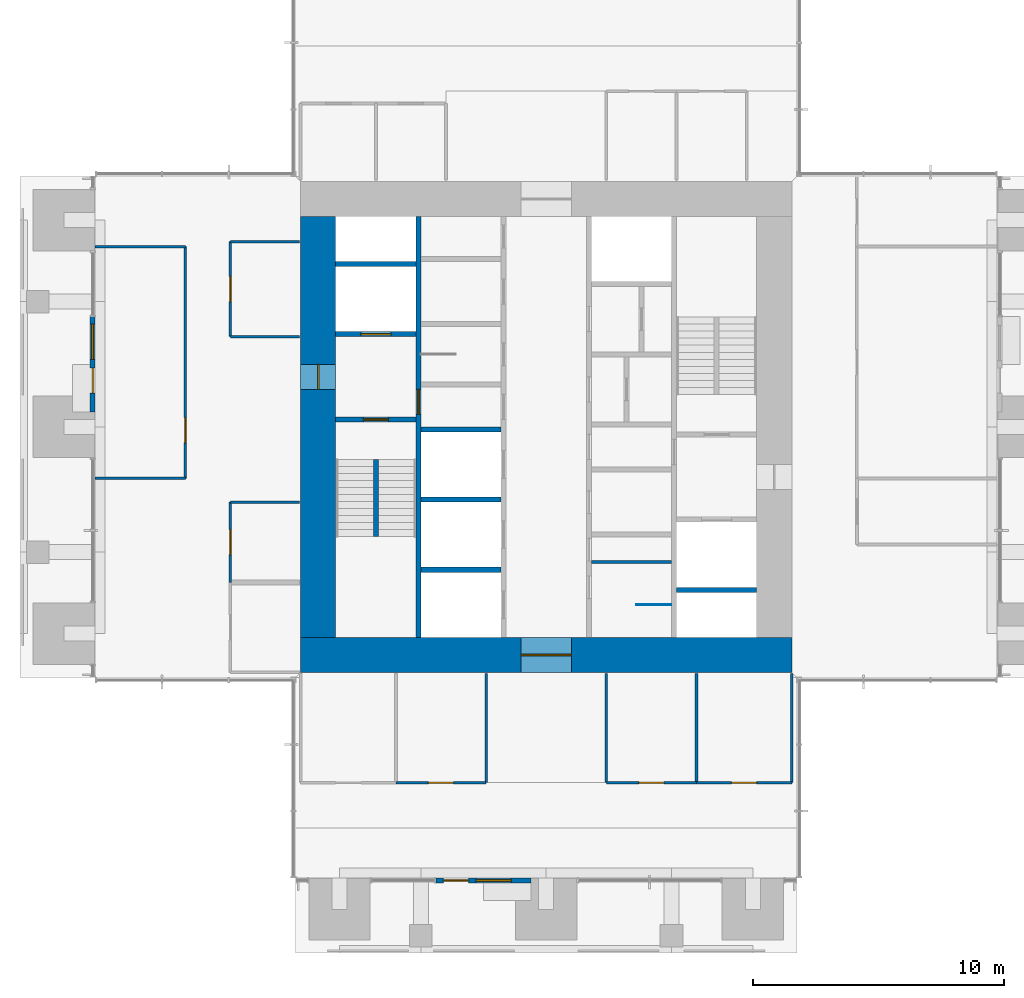
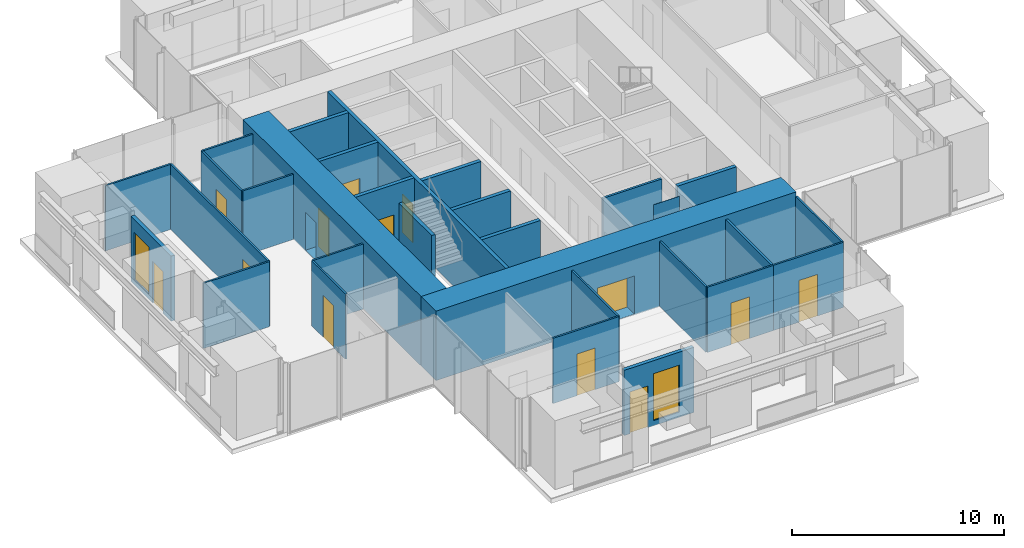
# One storey, part 12 of 17: 30 walls, 13 doors, 2 windows, 15 openings.
"""IFC4 building model written with IfcOpenShell, lengths in metres."""

from ifc_helpers import new_model, si_unit, direction, frame, frame_2d, origin, place, context, subcontext, project, spatial, rectangle, extrude, material, layer, layer_set, type_object, element, fill, save


model = new_model("IFC4")

# Units and contexts
model_context = context("Model", 3, precision=1e-05, world=origin(), true_north=direction((0.0, 1.0)))
body_context = subcontext(model_context, "Body", "Model", "MODEL_VIEW")
ifc_project = project(units=[si_unit("LENGTHUNIT", "METRE"), si_unit("AREAUNIT", "SQUARE_METRE"), si_unit("VOLUMEUNIT", "CUBIC_METRE"), si_unit("PLANEANGLEUNIT", "RADIAN"), si_unit("MASSUNIT", "GRAM", prefix="KILO")], contexts=[model_context])

# Site, building, storey
site_placement = place(None, origin())
site = spatial("IfcSite", under=ifc_project, at=site_placement, CompositionType="ELEMENT")
building_placement = place(site_placement, origin())
building = spatial("IfcBuilding", under=site, at=building_placement, Name="Svetlomir Tower", CompositionType="ELEMENT")
storey_placement = place(building_placement, frame((0.0, 0.0, 206.5)))
storey = spatial("IfcBuildingStorey", under=building, at=storey_placement, Name="L49", CompositionType="ELEMENT", Elevation=206.5)

# Wall, openings, door, window
ifc_material_1 = material(Name="Bronze anodised aluminium glazed screen", Category="aluminium")
ifc_layer_1 = layer(ifc_material_1, 0.199951171875)
ifc_layer_set_1 = layer_set([ifc_layer_1], Name="Bronze anodised aluminium glazed screen")
wall_type_1 = type_object("IfcWallType", Name="BALCONY SCREEN WALL 200", PredefinedType="USERDEFINED", material=ifc_layer_set_1)
wall_1_placement = place(storey_placement, frame((16.60009765625, 2.89990234375, 0.0), z_axis=(0.0, 0.0, 1.0), x_axis=(1.0, 0.0, 0.0)))
wall_1 = element("IfcWall", 1, at=wall_1_placement, inside=storey, type_object=wall_type_1, Name="Balcony screen S", ObjectType="GLAZED SCREEN", PredefinedType="USERDEFINED", context=body_context, shape_type="SweptSolid", body=[
    extrude(rectangle(XDim=3.7998046875, YDim=0.199951171875, at=frame_2d((1.89990234375, 0.0))), origin(), (0.0, 0.0, 1.0), 3.75),
])
opening_1_placement = place(wall_1_placement, frame((0.300048828125, 0.0, 0.0)))
opening_1 = element("IfcOpeningElement", 2, at=opening_1_placement, cuts=wall_1, Name="Opening BD", PredefinedType="OPENING", context=body_context, shape_type="SweptSolid", body=[
    extrude(rectangle(XDim=1.0, YDim=2.39990234375, at=frame_2d((0.5, 1.199951171875))), frame((0.0, 0.10986328125, 0.0), z_axis=(0.0, -1.0, 0.0), x_axis=(1.0, 0.0, 0.0)), (0.0, 0.0, 1.0), 0.219970703125),
])
opening_2_placement = place(wall_1_placement, frame((1.60009765625, 0.0, 0.300048828125)))
opening_2 = element("IfcOpeningElement", 3, at=opening_2_placement, cuts=wall_1, Name="Opening WS2", PredefinedType="OPENING", context=body_context, shape_type="SweptSolid", body=[
    extrude(rectangle(XDim=1.39990234375, YDim=2.699951171875, at=frame_2d((0.699951171875, 1.35009765625))), frame((0.0, 0.10986328125, 0.0), z_axis=(0.0, -1.0, 0.0), x_axis=(1.0, 0.0, 0.0)), (0.0, 0.0, 1.0), 0.219970703125),
])
ifc_material_2 = material(Name="Bronze anodised aluminium glazed door", Category="aluminium")
door_type_1 = type_object("IfcDoorType", Name="BALCONY DOOR BD 1000x2400", OperationType="SINGLE_SWING_LEFT", PredefinedType="DOOR", material=ifc_material_2)
door_1_placement = place(opening_1_placement, origin())
door_1 = element("IfcDoor", 4, at=door_1_placement, inside=storey, type_object=door_type_1, Name="Balcony screen S door", OperationType="SINGLE_SWING_LEFT", OverallHeight=2.39990234375, OverallWidth=1.0, PredefinedType="DOOR", context=body_context, shape_type="SweptSolid", body=[
    extrude(rectangle(XDim=1.0, YDim=2.39990234375, at=frame_2d((0.5, 1.199951171875))), frame((0.0, 0.02490234375, 0.0), z_axis=(0.0, -1.0, 0.0), x_axis=(1.0, 0.0, 0.0)), (0.0, 0.0, 1.0), 0.050048828125),
])
fill(opening_1, door_1)
ifc_material_3 = material(Name="Bronze anodised aluminium window", Category="aluminium")
window_type = type_object("IfcWindowType", Name="SCREEN WINDOW WS2 1400x2700", PartitioningType="SINGLE_PANEL", PredefinedType="WINDOW", material=ifc_material_3)
window_1_placement = place(opening_2_placement, origin())
window_1 = element("IfcWindow", 5, at=window_1_placement, inside=storey, type_object=window_type, Name="Balcony screen S window 1", OverallHeight=2.699951171875, OverallWidth=1.39990234375, PartitioningType="SINGLE_PANEL", PredefinedType="WINDOW", context=body_context, shape_type="SweptSolid", body=[
    extrude(rectangle(XDim=1.39990234375, YDim=2.699951171875, at=frame_2d((0.699951171875, 1.35009765625))), frame((0.0, 0.030029296875, 0.0), z_axis=(0.0, -1.0, 0.0), x_axis=(1.0, 0.0, 0.0)), (0.0, 0.0, 1.0), 0.06005859375),
])
fill(opening_2, window_1)

wall_2_placement = place(storey_placement, frame((2.89990234375, 25.39990234375, 0.0), z_axis=(0.0, 0.0, 1.0), x_axis=(0.0, -1.0, 0.0)))
wall_2 = element("IfcWall", 6, at=wall_2_placement, inside=storey, type_object=wall_type_1, Name="Balcony screen W", ObjectType="GLAZED SCREEN", PredefinedType="USERDEFINED", context=body_context, shape_type="SweptSolid", body=[
    extrude(rectangle(XDim=3.7998046875, YDim=0.199951171875, at=frame_2d((1.89990234375, 0.0))), origin(), (0.0, 0.0, 1.0), 3.75),
])
opening_3_placement = place(wall_2_placement, frame((2.050048828125, 0.0, 0.0)))
opening_3 = element("IfcOpeningElement", 7, at=opening_3_placement, cuts=wall_2, Name="Opening BD", PredefinedType="OPENING", context=body_context, shape_type="SweptSolid", body=[
    extrude(rectangle(XDim=1.0, YDim=2.39990234375, at=frame_2d((0.5, 1.199951171875))), frame((0.0, 0.10986328125, 0.0), z_axis=(0.0, -1.0, 0.0), x_axis=(1.0, 0.0, 0.0)), (0.0, 0.0, 1.0), 0.219970703125),
])
opening_4_placement = place(wall_2_placement, frame((0.300048828125, 0.0, 0.300048828125)))
opening_4 = element("IfcOpeningElement", 8, at=opening_4_placement, cuts=wall_2, Name="Opening WS2", PredefinedType="OPENING", context=body_context, shape_type="SweptSolid", body=[
    extrude(rectangle(XDim=1.39990234375, YDim=2.699951171875, at=frame_2d((0.699951171875, 1.35009765625))), frame((0.0, 0.10986328125, 0.0), z_axis=(0.0, -1.0, 0.0), x_axis=(1.0, 0.0, 0.0)), (0.0, 0.0, 1.0), 0.219970703125),
])
door_2_placement = place(opening_3_placement, origin())
door_2 = element("IfcDoor", 9, at=door_2_placement, inside=storey, type_object=door_type_1, Name="Balcony screen W door", OperationType="SINGLE_SWING_LEFT", OverallHeight=2.39990234375, OverallWidth=1.0, PredefinedType="DOOR", context=body_context, shape_type="SweptSolid", body=[
    extrude(rectangle(XDim=1.0, YDim=2.39990234375, at=frame_2d((0.5, 1.199951171875))), frame((0.0, 0.02490234375, 0.0), z_axis=(0.0, -1.0, 0.0), x_axis=(1.0, 0.0, 0.0)), (0.0, 0.0, 1.0), 0.050048828125),
])
fill(opening_3, door_2)
window_2_placement = place(opening_4_placement, origin())
window_2 = element("IfcWindow", 10, at=window_2_placement, inside=storey, type_object=window_type, Name="Balcony screen W window 1", OverallHeight=2.699951171875, OverallWidth=1.39990234375, PartitioningType="SINGLE_PANEL", PredefinedType="WINDOW", context=body_context, shape_type="SweptSolid", body=[
    extrude(rectangle(XDim=1.39990234375, YDim=2.699951171875, at=frame_2d((0.699951171875, 1.35009765625))), frame((0.0, 0.030029296875, 0.0), z_axis=(0.0, -1.0, 0.0), x_axis=(1.0, 0.0, 0.0)), (0.0, 0.0, 1.0), 0.06005859375),
])
fill(opening_4, window_2)

# Wall, opening, door
ifc_material_4 = material(Name="Concrete C60/75", Category="concrete")
ifc_layer_2 = layer(ifc_material_4, 0.199951171875)
ifc_layer_set_2 = layer_set([ifc_layer_2], Name="Concrete C60/75")
wall_type_2 = type_object("IfcWallType", Name="CORE INNER WALL 200", PredefinedType="SHEAR", material=ifc_layer_set_2)
wall_3_placement = place(storey_placement, frame((15.89990234375, 12.60009765625, -0.050048828125), z_axis=(0.0, 0.0, 1.0), x_axis=(0.0, 1.0, 0.0)))
wall_3 = element("IfcWall", 11, at=wall_3_placement, inside=storey, type_object=wall_type_2, Name="Core inner wall 15.9 L49", PredefinedType="SHEAR", context=body_context, shape_type="SweptSolid", body=[
    extrude(rectangle(XDim=16.7998046875, YDim=0.199951171875, at=frame_2d((8.39990234375, 0.0))), origin(), (0.0, 0.0, 1.0), 4.0),
])
opening_5_placement = place(wall_3_placement, frame((8.89990234375, 0.0, 0.050048828125)))
opening_5 = element("IfcOpeningElement", 12, at=opening_5_placement, cuts=wall_3, Name="Opening DF", PredefinedType="OPENING", context=body_context, shape_type="SweptSolid", body=[
    extrude(rectangle(XDim=1.0, YDim=2.199951171875, at=frame_2d((0.5, 1.10009765625))), frame((0.0, 0.10986328125, 0.0), z_axis=(0.0, -1.0, 0.0), x_axis=(1.0, 0.0, 0.0)), (0.0, 0.0, 1.0), 0.219970703125),
])
ifc_material_5 = material(Name="Steel fire door", Category="steel")
door_type_2 = type_object("IfcDoorType", Name="DOOR DF 1000x2200", OperationType="SINGLE_SWING_LEFT", PredefinedType="DOOR", material=ifc_material_5)
door_3_placement = place(opening_5_placement, origin())
door_3 = element("IfcDoor", 13, at=door_3_placement, inside=storey, type_object=door_type_2, Name="Core corridor west door L49", OperationType="SINGLE_SWING_LEFT", OverallHeight=2.199951171875, OverallWidth=1.0, PredefinedType="DOOR", context=body_context, shape_type="SweptSolid", body=[
    extrude(rectangle(XDim=1.0, YDim=2.199951171875, at=frame_2d((0.5, 1.10009765625))), frame((0.0, 0.02490234375, 0.0), z_axis=(0.0, -1.0, 0.0), x_axis=(1.0, 0.0, 0.0)), (0.0, 0.0, 1.0), 0.050048828125),
])
fill(opening_5, door_3)

wall_4_placement = place(storey_placement, frame((12.60009765625, 21.300048828125, -0.050048828125), z_axis=(0.0, 0.0, 1.0), x_axis=(1.0, 0.0, 0.0)))
wall_4 = element("IfcWall", 14, at=wall_4_placement, inside=storey, type_object=wall_type_2, Name="Core inner wall 12.6-15.8/21.3 L49", PredefinedType="SHEAR", context=body_context, shape_type="SweptSolid", body=[
    extrude(rectangle(XDim=3.199951171875, YDim=0.199951171875, at=frame_2d((1.60009765625, 0.0))), origin(), (0.0, 0.0, 1.0), 4.0),
])
opening_6_placement = place(wall_4_placement, frame((1.10009765625, 0.0, 0.050048828125)))
opening_6 = element("IfcOpeningElement", 15, at=opening_6_placement, cuts=wall_4, Name="Opening DF", PredefinedType="OPENING", context=body_context, shape_type="SweptSolid", body=[
    extrude(rectangle(XDim=1.0, YDim=2.199951171875, at=frame_2d((0.5, 1.10009765625))), frame((0.0, 0.10986328125, 0.0), z_axis=(0.0, -1.0, 0.0), x_axis=(1.0, 0.0, 0.0)), (0.0, 0.0, 1.0), 0.219970703125),
])
door_4_placement = place(opening_6_placement, origin())
door_4 = element("IfcDoor", 16, at=door_4_placement, inside=storey, type_object=door_type_2, Name="Stair S1 door L49", OperationType="SINGLE_SWING_RIGHT", OverallHeight=2.199951171875, OverallWidth=1.0, PredefinedType="DOOR", context=body_context, shape_type="SweptSolid", body=[
    extrude(rectangle(XDim=1.0, YDim=2.199951171875, at=frame_2d((0.5, 1.10009765625))), frame((0.0, 0.02490234375, 0.0), z_axis=(0.0, -1.0, 0.0), x_axis=(1.0, 0.0, 0.0)), (0.0, 0.0, 1.0), 0.050048828125),
])
fill(opening_6, door_4)

wall_5_placement = place(storey_placement, frame((12.60009765625, 24.699951171875, -0.050048828125), z_axis=(0.0, 0.0, 1.0), x_axis=(1.0, 0.0, 0.0)))
wall_5 = element("IfcWall", 17, at=wall_5_placement, inside=storey, type_object=wall_type_2, Name="Core inner wall 12.6-15.8/24.7 L49", PredefinedType="SHEAR", context=body_context, shape_type="SweptSolid", body=[
    extrude(rectangle(XDim=3.199951171875, YDim=0.199951171875, at=frame_2d((1.60009765625, 0.0))), origin(), (0.0, 0.0, 1.0), 4.0),
])
opening_7_placement = place(wall_5_placement, frame((1.0, 0.0, 0.050048828125)))
opening_7 = element("IfcOpeningElement", 18, at=opening_7_placement, cuts=wall_5, Name="Opening LD3", PredefinedType="OPENING", context=body_context, shape_type="SweptSolid", body=[
    extrude(rectangle(XDim=1.199951171875, YDim=2.199951171875, at=frame_2d((0.60009765625, 1.10009765625))), frame((0.0, 0.10986328125, 0.0), z_axis=(0.0, -1.0, 0.0), x_axis=(1.0, 0.0, 0.0)), (0.0, 0.0, 1.0), 0.219970703125),
])
ifc_material_6 = material(Name="Stainless steel fire-rated landing door", Category="steel")
door_type_3 = type_object("IfcDoorType", Name="FIREFIGHTING LIFT LANDING DOOR LD3 1200x2200", OperationType="DOUBLE_DOOR_SLIDING", PredefinedType="DOOR", material=ifc_material_6)
door_5_placement = place(opening_7_placement, origin())
door_5 = element("IfcDoor", 19, at=door_5_placement, inside=storey, type_object=door_type_3, Name="Landing door lift FL1 L49", OperationType="DOUBLE_DOOR_SLIDING", OverallHeight=2.199951171875, OverallWidth=1.199951171875, PredefinedType="DOOR", context=body_context, shape_type="SweptSolid", body=[
    extrude(rectangle(XDim=1.199951171875, YDim=2.199951171875, at=frame_2d((0.60009765625, 1.10009765625))), frame((0.0, 0.02490234375, 0.0), z_axis=(0.0, -1.0, 0.0), x_axis=(1.0, 0.0, 0.0)), (0.0, 0.0, 1.0), 0.050048828125),
])
fill(opening_7, door_5)

# Walls
for number, where, z_axis, x_axis, name in (
    (20, (12.60009765625, 27.5, -0.050048828125), (0.0, 0.0, 1.0), (1.0, 0.0, 0.0), "Core inner wall 12.6-15.8/27.5 L49"),
    (21, (16.0, 15.300048828125, -0.050048828125), (0.0, 0.0, 1.0), (1.0, 0.0, 0.0), "Core inner wall 16-19.2/15.3 L49"),
    (22, (16.0, 18.10009765625, -0.050048828125), (0.0, 0.0, 1.0), (1.0, 0.0, 0.0), "Core inner wall 16-19.2/18.1 L49"),
    (23, (16.0, 20.89990234375, -0.050048828125), (0.0, 0.0, 1.0), (1.0, 0.0, 0.0), "Core inner wall 16-19.2/20.9 L49"),
    (24, (26.199951171875, 14.5, -0.050048828125), (0.0, 0.0, 1.0), (1.0, 0.0, 0.0), "Core inner wall 26.2-29.4/14.5 L49"),
):
    element("IfcWall", number, at=place(storey_placement, frame(where, z_axis=z_axis, x_axis=x_axis)), inside=storey, type_object=wall_type_2, Name=name, PredefinedType="SHEAR", context=body_context, shape_type="SweptSolid", body=[
        extrude(rectangle(XDim=3.199951171875, YDim=0.199951171875, at=frame_2d((1.60009765625, 0.0))), origin(), (0.0, 0.0, 1.0), 4.0),
    ])

# Wall, opening, door
ifc_material_7 = material(Name="Concrete C60/75", Category="concrete")
ifc_layer_3 = layer(ifc_material_7, 1.39990234375)
ifc_layer_set_3 = layer_set([ifc_layer_3], Name="Concrete C60/75")
wall_type_3 = type_object("IfcWallType", Name="CORE WALL 1400", PredefinedType="SHEAR", material=ifc_layer_set_3)
wall_6_placement = place(storey_placement, frame((11.199951171875, 11.89990234375, -0.050048828125), z_axis=(0.0, 0.0, 1.0), x_axis=(1.0, 0.0, 0.0)))
wall_6 = element("IfcWall", 25, at=wall_6_placement, inside=storey, type_object=wall_type_3, Name="Core wall south L49", PredefinedType="SHEAR", context=body_context, shape_type="SweptSolid", body=[
    extrude(rectangle(XDim=19.60009765625, YDim=1.39990234375, at=frame_2d((9.800048828125, 0.0))), origin(), (0.0, 0.0, 1.0), 4.0),
])
opening_8_placement = place(wall_6_placement, frame((8.800048828125, 0.0, 0.050048828125)))
opening_8 = element("IfcOpeningElement", 26, at=opening_8_placement, cuts=wall_6, Name="Opening DL", PredefinedType="OPENING", context=body_context, shape_type="SweptSolid", body=[
    extrude(rectangle(XDim=2.0, YDim=2.199951171875, at=frame_2d((1.0, 1.10009765625))), frame((0.0, 0.7099609375, 0.0), z_axis=(0.0, -1.0, 0.0), x_axis=(1.0, 0.0, 0.0)), (0.0, 0.0, 1.0), 1.419921875),
])
ifc_material_8 = material(Name="Steel fire door", Category="steel")
door_type_4 = type_object("IfcDoorType", Name="DOOR DL 2000x2200", OperationType="DOUBLE_DOOR_SINGLE_SWING", PredefinedType="DOOR", material=ifc_material_8)
door_6_placement = place(opening_8_placement, origin())
door_6 = element("IfcDoor", 27, at=door_6_placement, inside=storey, type_object=door_type_4, Name="Lift lobby south door L49", OperationType="DOUBLE_DOOR_SINGLE_SWING", OverallHeight=2.199951171875, OverallWidth=2.0, PredefinedType="DOOR", context=body_context, shape_type="SweptSolid", body=[
    extrude(rectangle(XDim=2.0, YDim=2.199951171875, at=frame_2d((1.0, 1.10009765625))), frame((0.0, 0.02490234375, 0.0), z_axis=(0.0, -1.0, 0.0), x_axis=(1.0, 0.0, 0.0)), (0.0, 0.0, 1.0), 0.050048828125),
])
fill(opening_8, door_6)

wall_7_placement = place(storey_placement, frame((11.89990234375, 12.60009765625, -0.050048828125), z_axis=(0.0, 0.0, 1.0), x_axis=(0.0, 1.0, 0.0)))
wall_7 = element("IfcWall", 28, at=wall_7_placement, inside=storey, type_object=wall_type_3, Name="Core wall west L49", PredefinedType="SHEAR", context=body_context, shape_type="SweptSolid", body=[
    extrude(rectangle(XDim=16.7998046875, YDim=1.39990234375, at=frame_2d((8.39990234375, 0.0))), origin(), (0.0, 0.0, 1.0), 4.0),
])
opening_9_placement = place(wall_7_placement, frame((9.89990234375, 0.0, 0.050048828125)))
opening_9 = element("IfcOpeningElement", 29, at=opening_9_placement, cuts=wall_7, Name="Opening DF", PredefinedType="OPENING", context=body_context, shape_type="SweptSolid", body=[
    extrude(rectangle(XDim=1.0, YDim=2.199951171875, at=frame_2d((0.5, 1.10009765625))), frame((0.0, 0.7099609375, 0.0), z_axis=(0.0, -1.0, 0.0), x_axis=(1.0, 0.0, 0.0)), (0.0, 0.0, 1.0), 1.419921875),
])
door_7_placement = place(opening_9_placement, origin())
door_7 = element("IfcDoor", 30, at=door_7_placement, inside=storey, type_object=door_type_2, Name="Firefighting lobby west door L49", OperationType="SINGLE_SWING_RIGHT", OverallHeight=2.199951171875, OverallWidth=1.0, PredefinedType="DOOR", context=body_context, shape_type="SweptSolid", body=[
    extrude(rectangle(XDim=1.0, YDim=2.199951171875, at=frame_2d((0.5, 1.10009765625))), frame((0.0, 0.02490234375, 0.0), z_axis=(0.0, -1.0, 0.0), x_axis=(1.0, 0.0, 0.0)), (0.0, 0.0, 1.0), 0.050048828125),
])
fill(opening_9, door_7)

# Walls
ifc_material_9 = material(Name="Framed laminated glass partition", Category="glass")
ifc_layer_4 = layer(ifc_material_9, 0.10009765625)
ifc_layer_set_4 = layer_set([ifc_layer_4], Name="Framed laminated glass partition")
wall_type_4 = type_object("IfcWallType", Name="GLAZED PARTITION 100", PredefinedType="PARTITIONING", material=ifc_layer_set_4)
for number, where, z_axis, x_axis, name in (
    (31, (3.0, 18.949951171875, 0.0), (0.0, 0.0, 1.0), (1.0, 0.0, 0.0), "Glazed partition L49"),
    (32, (3.0, 28.199951171875, 0.0), (0.0, 0.0, 1.0), (1.0, 0.0, 0.0), "Glazed partition L49"),
):
    element("IfcWall", number, at=place(storey_placement, frame(where, z_axis=z_axis, x_axis=x_axis)), inside=storey, type_object=wall_type_4, Name=name, PredefinedType="PARTITIONING", context=body_context, shape_type="SweptSolid", body=[
        extrude(rectangle(XDim=3.60009765625, YDim=0.10009765625, at=frame_2d((1.800048828125, 0.0))), origin(), (0.0, 0.0, 1.0), 3.75),
    ])

# Wall, opening, door
wall_8_placement = place(storey_placement, frame((6.60009765625, 18.949951171875, 0.0), z_axis=(0.0, 0.0, 1.0), x_axis=(0.0, 1.0, 0.0)))
wall_8 = element("IfcWall", 33, at=wall_8_placement, inside=storey, type_object=wall_type_4, Name="Glazed partition L49", PredefinedType="PARTITIONING", context=body_context, shape_type="SweptSolid", body=[
    extrude(rectangle(XDim=9.25, YDim=0.10009765625, at=frame_2d((4.625, 0.0))), origin(), (0.0, 0.0, 1.0), 3.75),
])
opening_10_placement = place(wall_8_placement, frame((1.425048828125, 0.0, 0.0)))
opening_10 = element("IfcOpeningElement", 34, at=opening_10_placement, cuts=wall_8, Name="Opening DG", PredefinedType="OPENING", context=body_context, shape_type="SweptSolid", body=[
    extrude(rectangle(XDim=1.0, YDim=2.39990234375, at=frame_2d((0.5, 1.199951171875))), frame((0.0, 0.06005859375, 0.0), z_axis=(0.0, -1.0, 0.0), x_axis=(1.0, 0.0, 0.0)), (0.0, 0.0, 1.0), 0.1201171875),
])
ifc_material_10 = material(Name="Framed laminated glass door", Category="glass")
door_type_5 = type_object("IfcDoorType", Name="GLAZED DOOR DG 1000x2400", OperationType="SINGLE_SWING_LEFT", PredefinedType="DOOR", material=ifc_material_10)
door_8_placement = place(opening_10_placement, origin())
door_8 = element("IfcDoor", 35, at=door_8_placement, inside=storey, type_object=door_type_5, Name="Loggia break-out and kitchenette door L49", OperationType="SINGLE_SWING_LEFT", OverallHeight=2.39990234375, OverallWidth=1.0, PredefinedType="DOOR", context=body_context, shape_type="SweptSolid", body=[
    extrude(rectangle(XDim=1.0, YDim=2.39990234375, at=frame_2d((0.5, 1.199951171875))), frame((0.0, 0.02490234375, 0.0), z_axis=(0.0, -1.0, 0.0), x_axis=(1.0, 0.0, 0.0)), (0.0, 0.0, 1.0), 0.050048828125),
])
fill(opening_10, door_8)

wall_9_placement = place(storey_placement, frame((8.39990234375, 14.800048828125, 0.0), z_axis=(0.0, 0.0, 1.0), x_axis=(0.0, 1.0, 0.0)))
wall_9 = element("IfcWall", 36, at=wall_9_placement, inside=storey, type_object=wall_type_4, Name="Glazed partition L49", PredefinedType="PARTITIONING", context=body_context, shape_type="SweptSolid", body=[
    extrude(rectangle(XDim=3.199951171875, YDim=0.10009765625, at=frame_2d((1.60009765625, 0.0))), origin(), (0.0, 0.0, 1.0), 3.75),
])
opening_11_placement = place(wall_9_placement, frame((1.10009765625, 0.0, 0.0)))
opening_11 = element("IfcOpeningElement", 37, at=opening_11_placement, cuts=wall_9, Name="Opening DG", PredefinedType="OPENING", context=body_context, shape_type="SweptSolid", body=[
    extrude(rectangle(XDim=1.0, YDim=2.39990234375, at=frame_2d((0.5, 1.199951171875))), frame((0.0, 0.06005859375, 0.0), z_axis=(0.0, -1.0, 0.0), x_axis=(1.0, 0.0, 0.0)), (0.0, 0.0, 1.0), 0.1201171875),
])
door_9_placement = place(opening_11_placement, origin())
door_9 = element("IfcDoor", 38, at=door_9_placement, inside=storey, type_object=door_type_5, Name="Meeting room, 4 seats door L49", OperationType="SINGLE_SWING_LEFT", OverallHeight=2.39990234375, OverallWidth=1.0, PredefinedType="DOOR", context=body_context, shape_type="SweptSolid", body=[
    extrude(rectangle(XDim=1.0, YDim=2.39990234375, at=frame_2d((0.5, 1.199951171875))), frame((0.0, 0.02490234375, 0.0), z_axis=(0.0, -1.0, 0.0), x_axis=(1.0, 0.0, 0.0)), (0.0, 0.0, 1.0), 0.050048828125),
])
fill(opening_11, door_9)

# Wall
wall_10_placement = place(storey_placement, frame((8.39990234375, 18.0, 0.0), z_axis=(0.0, 0.0, 1.0), x_axis=(1.0, 0.0, 0.0)))
element("IfcWall", 39, at=wall_10_placement, inside=storey, type_object=wall_type_4, Name="Glazed partition L49", PredefinedType="PARTITIONING", context=body_context, shape_type="SweptSolid", body=[
    extrude(rectangle(XDim=2.75, YDim=0.10009765625, at=frame_2d((1.375, 0.0))), origin(), (0.0, 0.0, 1.0), 3.75),
])

# Wall, opening, door
wall_11_placement = place(storey_placement, frame((8.39990234375, 24.60009765625, 0.0), z_axis=(0.0, 0.0, 1.0), x_axis=(0.0, 1.0, 0.0)))
wall_11 = element("IfcWall", 40, at=wall_11_placement, inside=storey, type_object=wall_type_4, Name="Glazed partition L49", PredefinedType="PARTITIONING", context=body_context, shape_type="SweptSolid", body=[
    extrude(rectangle(XDim=3.7998046875, YDim=0.10009765625, at=frame_2d((1.89990234375, 0.0))), origin(), (0.0, 0.0, 1.0), 3.75),
])
opening_12_placement = place(wall_11_placement, frame((1.39990234375, 0.0, 0.0)))
opening_12 = element("IfcOpeningElement", 41, at=opening_12_placement, cuts=wall_11, Name="Opening DG", PredefinedType="OPENING", context=body_context, shape_type="SweptSolid", body=[
    extrude(rectangle(XDim=1.0, YDim=2.39990234375, at=frame_2d((0.5, 1.199951171875))), frame((0.0, 0.06005859375, 0.0), z_axis=(0.0, -1.0, 0.0), x_axis=(1.0, 0.0, 0.0)), (0.0, 0.0, 1.0), 0.1201171875),
])
door_10_placement = place(opening_12_placement, origin())
door_10 = element("IfcDoor", 42, at=door_10_placement, inside=storey, type_object=door_type_5, Name="Release war room door L49", OperationType="SINGLE_SWING_RIGHT", OverallHeight=2.39990234375, OverallWidth=1.0, PredefinedType="DOOR", context=body_context, shape_type="SweptSolid", body=[
    extrude(rectangle(XDim=1.0, YDim=2.39990234375, at=frame_2d((0.5, 1.199951171875))), frame((0.0, 0.02490234375, 0.0), z_axis=(0.0, -1.0, 0.0), x_axis=(1.0, 0.0, 0.0)), (0.0, 0.0, 1.0), 0.050048828125),
])
fill(opening_12, door_10)

# Walls
for number, where, z_axis, x_axis, name in (
    (43, (8.39990234375, 24.60009765625, 0.0), (0.0, 0.0, 1.0), (1.0, 0.0, 0.0), "Glazed partition L49"),
    (44, (8.39990234375, 28.39990234375, 0.0), (0.0, 0.0, 1.0), (1.0, 0.0, 0.0), "Glazed partition L49"),
):
    element("IfcWall", number, at=place(storey_placement, frame(where, z_axis=z_axis, x_axis=x_axis)), inside=storey, type_object=wall_type_4, Name=name, PredefinedType="PARTITIONING", context=body_context, shape_type="SweptSolid", body=[
        extrude(rectangle(XDim=2.75, YDim=0.10009765625, at=frame_2d((1.375, 0.0))), origin(), (0.0, 0.0, 1.0), 3.75),
    ])

# Wall, opening, door
wall_12_placement = place(storey_placement, frame((15.0, 6.800048828125, 0.0), z_axis=(0.0, 0.0, 1.0), x_axis=(1.0, 0.0, 0.0)))
wall_12 = element("IfcWall", 45, at=wall_12_placement, inside=storey, type_object=wall_type_4, Name="Glazed partition L49", PredefinedType="PARTITIONING", context=body_context, shape_type="SweptSolid", body=[
    extrude(rectangle(XDim=3.60009765625, YDim=0.10009765625, at=frame_2d((1.800048828125, 0.0))), origin(), (0.0, 0.0, 1.0), 3.75),
])
opening_13_placement = place(wall_12_placement, frame((1.300048828125, 0.0, 0.0)))
opening_13 = element("IfcOpeningElement", 46, at=opening_13_placement, cuts=wall_12, Name="Opening DG", PredefinedType="OPENING", context=body_context, shape_type="SweptSolid", body=[
    extrude(rectangle(XDim=1.0, YDim=2.39990234375, at=frame_2d((0.5, 1.199951171875))), frame((0.0, 0.06005859375, 0.0), z_axis=(0.0, -1.0, 0.0), x_axis=(1.0, 0.0, 0.0)), (0.0, 0.0, 1.0), 0.1201171875),
])
door_11_placement = place(opening_13_placement, origin())
door_11 = element("IfcDoor", 47, at=door_11_placement, inside=storey, type_object=door_type_5, Name="Squad room 2 door L49", OperationType="SINGLE_SWING_RIGHT", OverallHeight=2.39990234375, OverallWidth=1.0, PredefinedType="DOOR", context=body_context, shape_type="SweptSolid", body=[
    extrude(rectangle(XDim=1.0, YDim=2.39990234375, at=frame_2d((0.5, 1.199951171875))), frame((0.0, 0.02490234375, 0.0), z_axis=(0.0, -1.0, 0.0), x_axis=(1.0, 0.0, 0.0)), (0.0, 0.0, 1.0), 0.050048828125),
])
fill(opening_13, door_11)

# Walls
for number, where, z_axis, x_axis, name in (
    (48, (18.60009765625, 6.800048828125, 0.0), (0.0, 0.0, 1.0), (0.0, 1.0, 0.0), "Glazed partition L49"),
    (49, (23.39990234375, 6.800048828125, 0.0), (0.0, 0.0, 1.0), (0.0, 1.0, 0.0), "Glazed partition L49"),
):
    element("IfcWall", number, at=place(storey_placement, frame(where, z_axis=z_axis, x_axis=x_axis)), inside=storey, type_object=wall_type_4, Name=name, PredefinedType="PARTITIONING", context=body_context, shape_type="SweptSolid", body=[
        extrude(rectangle(XDim=4.349853515625, YDim=0.10009765625, at=frame_2d((2.1748046875, 0.0))), origin(), (0.0, 0.0, 1.0), 3.75),
    ])

# Wall, opening, door
wall_13_placement = place(storey_placement, frame((23.39990234375, 6.800048828125, 0.0), z_axis=(0.0, 0.0, 1.0), x_axis=(1.0, 0.0, 0.0)))
wall_13 = element("IfcWall", 50, at=wall_13_placement, inside=storey, type_object=wall_type_4, Name="Glazed partition L49", PredefinedType="PARTITIONING", context=body_context, shape_type="SweptSolid", body=[
    extrude(rectangle(XDim=3.60009765625, YDim=0.10009765625, at=frame_2d((1.800048828125, 0.0))), origin(), (0.0, 0.0, 1.0), 3.75),
])
opening_14_placement = place(wall_13_placement, frame((1.300048828125, 0.0, 0.0)))
opening_14 = element("IfcOpeningElement", 51, at=opening_14_placement, cuts=wall_13, Name="Opening DG", PredefinedType="OPENING", context=body_context, shape_type="SweptSolid", body=[
    extrude(rectangle(XDim=1.0, YDim=2.39990234375, at=frame_2d((0.5, 1.199951171875))), frame((0.0, 0.06005859375, 0.0), z_axis=(0.0, -1.0, 0.0), x_axis=(1.0, 0.0, 0.0)), (0.0, 0.0, 1.0), 0.1201171875),
])
door_12_placement = place(opening_14_placement, origin())
door_12 = element("IfcDoor", 52, at=door_12_placement, inside=storey, type_object=door_type_5, Name="Squad room 3 door L49", OperationType="SINGLE_SWING_LEFT", OverallHeight=2.39990234375, OverallWidth=1.0, PredefinedType="DOOR", context=body_context, shape_type="SweptSolid", body=[
    extrude(rectangle(XDim=1.0, YDim=2.39990234375, at=frame_2d((0.5, 1.199951171875))), frame((0.0, 0.02490234375, 0.0), z_axis=(0.0, -1.0, 0.0), x_axis=(1.0, 0.0, 0.0)), (0.0, 0.0, 1.0), 0.050048828125),
])
fill(opening_14, door_12)

wall_14_placement = place(storey_placement, frame((27.0, 6.800048828125, 0.0), z_axis=(0.0, 0.0, 1.0), x_axis=(1.0, 0.0, 0.0)))
wall_14 = element("IfcWall", 53, at=wall_14_placement, inside=storey, type_object=wall_type_4, Name="Glazed partition L49", PredefinedType="PARTITIONING", context=body_context, shape_type="SweptSolid", body=[
    extrude(rectangle(XDim=3.800048828125, YDim=0.10009765625, at=frame_2d((1.89990234375, 0.0))), origin(), (0.0, 0.0, 1.0), 3.75),
])
opening_15_placement = place(wall_14_placement, frame((1.39990234375, 0.0, 0.0)))
opening_15 = element("IfcOpeningElement", 54, at=opening_15_placement, cuts=wall_14, Name="Opening DG", PredefinedType="OPENING", context=body_context, shape_type="SweptSolid", body=[
    extrude(rectangle(XDim=1.0, YDim=2.39990234375, at=frame_2d((0.5, 1.199951171875))), frame((0.0, 0.06005859375, 0.0), z_axis=(0.0, -1.0, 0.0), x_axis=(1.0, 0.0, 0.0)), (0.0, 0.0, 1.0), 0.1201171875),
])
door_13_placement = place(opening_15_placement, origin())
door_13 = element("IfcDoor", 55, at=door_13_placement, inside=storey, type_object=door_type_5, Name="Squad room 4 door L49", OperationType="SINGLE_SWING_RIGHT", OverallHeight=2.39990234375, OverallWidth=1.0, PredefinedType="DOOR", context=body_context, shape_type="SweptSolid", body=[
    extrude(rectangle(XDim=1.0, YDim=2.39990234375, at=frame_2d((0.5, 1.199951171875))), frame((0.0, 0.02490234375, 0.0), z_axis=(0.0, -1.0, 0.0), x_axis=(1.0, 0.0, 0.0)), (0.0, 0.0, 1.0), 0.050048828125),
])
fill(opening_15, door_13)

# Walls
wall_15_placement = place(storey_placement, frame((30.800048828125, 6.800048828125, 0.0), z_axis=(0.0, 0.0, 1.0), x_axis=(0.0, 1.0, 0.0)))
element("IfcWall", 56, at=wall_15_placement, inside=storey, type_object=wall_type_4, Name="Glazed partition L49", PredefinedType="PARTITIONING", context=body_context, shape_type="SweptSolid", body=[
    extrude(rectangle(XDim=4.349853515625, YDim=0.10009765625, at=frame_2d((2.1748046875, 0.0))), origin(), (0.0, 0.0, 1.0), 3.75),
])
ifc_material_11 = material(Name="Gypsum board on steel studs", Category="steel")
ifc_layer_5 = layer(ifc_material_11, 0.1201171875)
ifc_layer_set_5 = layer_set([ifc_layer_5], Name="Gypsum board on steel studs")
wall_type_5 = type_object("IfcWallType", Name="PARTITION 120", PredefinedType="PARTITIONING", material=ifc_layer_set_5)
wall_16_placement = place(storey_placement, frame((22.800048828125, 15.60009765625, 0.0), z_axis=(0.0, 0.0, 1.0), x_axis=(1.0, 0.0, 0.0)))
element("IfcWall", 57, at=wall_16_placement, inside=storey, type_object=wall_type_5, Name="Shower room partition L49", PredefinedType="PARTITIONING", context=body_context, shape_type="SweptSolid", body=[
    extrude(rectangle(XDim=3.199951171875, YDim=0.1201171875, at=frame_2d((1.60009765625, 0.0))), origin(), (0.0, 0.0, 1.0), 3.75),
])
wall_17_placement = place(storey_placement, frame((27.0, 6.800048828125, 0.0), z_axis=(0.0, 0.0, 1.0), x_axis=(0.0, 1.0, 0.0)))
element("IfcWall", 58, at=wall_17_placement, inside=storey, type_object=wall_type_5, Name="Partition L49", PredefinedType="PARTITIONING", context=body_context, shape_type="SweptSolid", body=[
    extrude(rectangle(XDim=4.349853515625, YDim=0.1201171875, at=frame_2d((2.1748046875, 0.0))), origin(), (0.0, 0.0, 1.0), 3.75),
])
ifc_material_12 = material(Name="Concrete C60/75", Category="concrete")
ifc_layer_6 = layer(ifc_material_12, 0.199951171875)
ifc_layer_set_6 = layer_set([ifc_layer_6], Name="Concrete C60/75")
wall_type_6 = type_object("IfcWallType", Name="STAIR SPINE WALL 200", PredefinedType="PARTITIONING", material=ifc_layer_set_6)
wall_18_placement = place(storey_placement, frame((14.199951171875, 16.6201171875, 0.0), z_axis=(0.0, 0.0, 1.0), x_axis=(0.0, 1.0, 0.0)))
element("IfcWall", 59, at=wall_18_placement, inside=storey, type_object=wall_type_6, Name="Stair S1 spine wall L49", PredefinedType="PARTITIONING", context=body_context, shape_type="SweptSolid", body=[
    extrude(rectangle(XDim=3.079833984375, YDim=0.199951171875, at=frame_2d((1.5400390625, 0.0))), origin(), (0.0, 0.0, 1.0), 4.0),
])
ifc_material_13 = material(Name="Compact laminate panel", Category="plastic")
ifc_layer_7 = layer(ifc_material_13, 0.030029296875)
ifc_layer_set_7 = layer_set([ifc_layer_7], Name="Compact laminate panel")
wall_type_7 = type_object("IfcWallType", Name="WC CUBICLE PARTITION 30", PredefinedType="PARTITIONING", material=ifc_layer_set_7)
wall_19_placement = place(storey_placement, frame((24.60009765625, 13.89990234375, 0.0), z_axis=(0.0, 0.0, 1.0), x_axis=(1.0, 0.0, 0.0)))
element("IfcWall", 60, at=wall_19_placement, inside=storey, type_object=wall_type_7, Name="WC cubicle partition L49", PredefinedType="PARTITIONING", context=body_context, shape_type="SweptSolid", body=[
    extrude(rectangle(XDim=1.39990234375, YDim=0.030029296875, at=frame_2d((0.699951171875, 0.0))), origin(), (0.0, 0.0, 1.0), 3.75),
])

save(model, "model.ifc")
